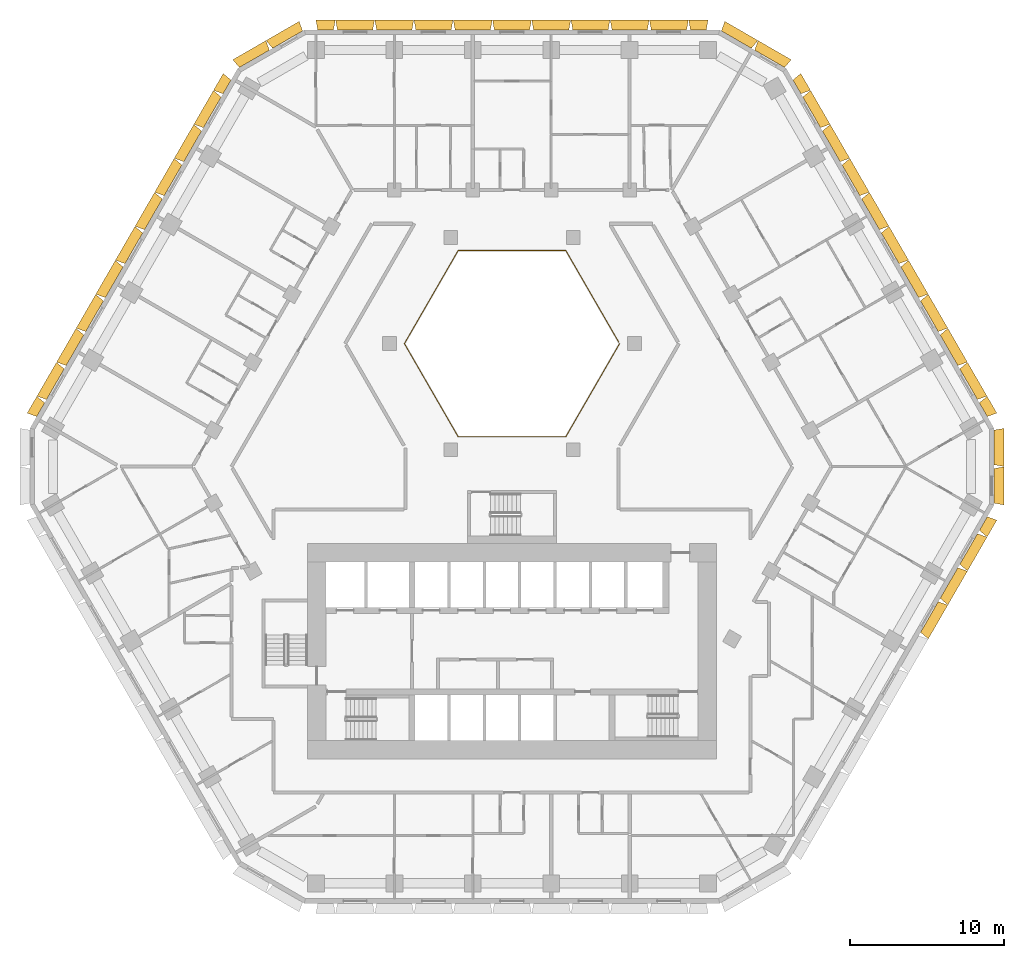
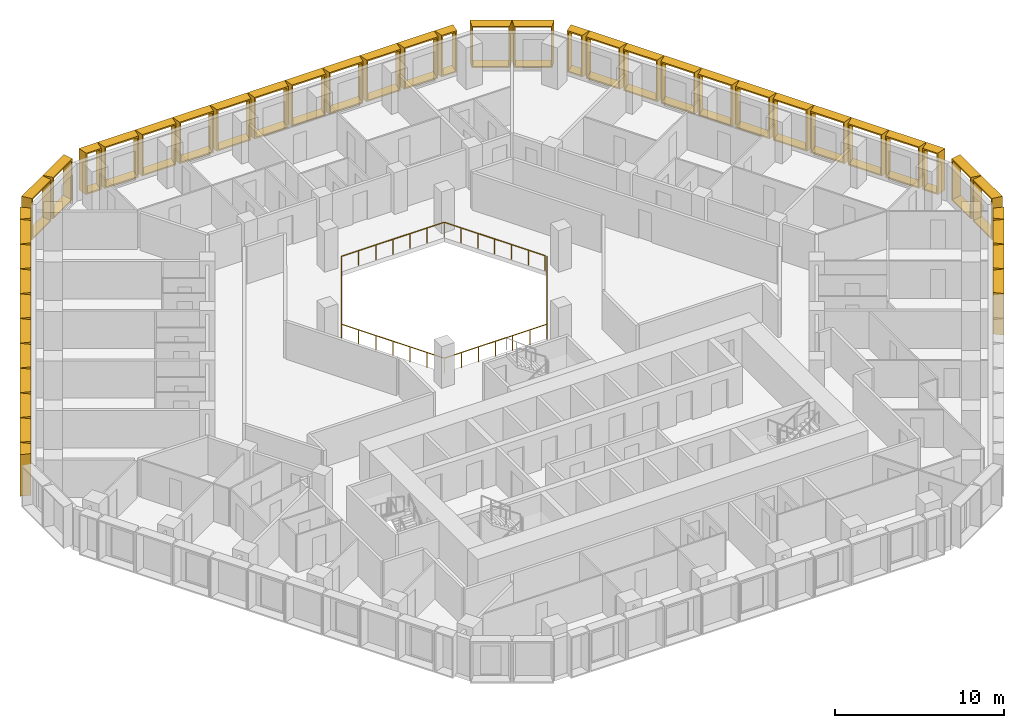
# One storey, part 16 of 16: 43 shading devices, 1 railing.
"""IFC4 building model written with IfcOpenShell, lengths in metres."""

from ifc_helpers import new_model, entity, si_unit, direction, frame, origin, origin_2d, place, context, subcontext, project, spatial, rectangle, extrude, source, transform, mapped, material, type_object, type_shapes, element, save


model = new_model("IFC4")

# Units and contexts
model_context = context("Model", 3, precision=1e-05, world=origin(), true_north=direction((0.0, 1.0)))
body_context = subcontext(model_context, "Body", "Model", "MODEL_VIEW")
ifc_project = project(units=[si_unit("LENGTHUNIT", "METRE"), si_unit("AREAUNIT", "SQUARE_METRE"), si_unit("VOLUMEUNIT", "CUBIC_METRE"), si_unit("PLANEANGLEUNIT", "RADIAN"), si_unit("MASSUNIT", "GRAM", prefix="KILO")], contexts=[model_context])

# Site, building, storey
site_placement = place(None, origin())
site = spatial("IfcSite", under=ifc_project, at=site_placement, CompositionType="ELEMENT")
building_placement = place(site_placement, origin())
building = spatial("IfcBuilding", under=site, at=building_placement, Name="Beryl Residences", CompositionType="ELEMENT")
storey_placement = place(building_placement, frame((0.0, 0.0, 38.39990234375)))
storey = spatial("IfcBuildingStorey", under=building, at=storey_placement, Name="L11", CompositionType="ELEMENT", Elevation=38.39990234375)

# Railing
ifc_material_1 = material(Name="Stainless steel balustrade with glass infill", Category="steel")
railing_type = type_object("IfcRailingType", Name="EG1 edge guard 1100 mm", PredefinedType="GUARDRAIL", material=ifc_material_1)
railing_placement = place(storey_placement, frame((6.9970703125, 8.0, 0.0)))
element("IfcRailing", 1, at=railing_placement, inside=storey, type_object=railing_type, Name="L11 atrium guard", PredefinedType="GUARDRAIL", context=body_context, shape_type="SweptSolid", body=[
    extrude(rectangle(XDim=0.048095703125, YDim=0.048095703125, at=origin_2d()), frame((0.0, 0.0, 1.076171875), z_axis=(-0.499921796684, -0.866070549782, 0.0), x_axis=(0.866070549782, -0.499921796684, 0.0)), (0.0, 0.0, 1.0), 6.9970703125),
    extrude(rectangle(XDim=0.048095703125, YDim=0.048095703125, at=origin_2d()), frame((-3.498046875, -6.06005859375, 1.076171875), z_axis=(-1.0, 0.0, 0.0), x_axis=(0.0, -1.0, 0.0)), (0.0, 0.0, 1.0), 6.998046875),
    extrude(rectangle(XDim=0.048095703125, YDim=0.048095703125, at=origin_2d()), frame((-10.49609375, -6.06005859375, 1.076171875), z_axis=(-0.499921796684, 0.866070549782, 0.0), x_axis=(-0.866070549782, -0.499921796684, 0.0)), (0.0, 0.0, 1.0), 6.9970703125),
    extrude(rectangle(XDim=0.048095703125, YDim=0.048095703125, at=origin_2d()), frame((-13.994140625, 0.0, 1.076171875), z_axis=(0.499921796684, 0.866070549782, 0.0), x_axis=(-0.866070549782, 0.499921796684, 0.0)), (0.0, 0.0, 1.0), 6.9970703125),
    extrude(rectangle(XDim=0.048095703125, YDim=0.048095703125, at=origin_2d()), frame((-10.49609375, 6.06005859375, 1.076171875), z_axis=(1.0, 0.0, 0.0), x_axis=(0.0, 1.0, 0.0)), (0.0, 0.0, 1.0), 6.998046875),
    extrude(rectangle(XDim=0.048095703125, YDim=0.048095703125, at=origin_2d()), frame((-3.498046875, 6.06005859375, 1.076171875), z_axis=(0.499919131929, -0.866072087953, 0.0), x_axis=(0.866072087953, 0.499919131929, 0.0)), (0.0, 0.0, 1.0), 6.877197265625),
    extrude(rectangle(XDim=0.0419921875, YDim=0.0419921875, at=origin_2d()), origin(), (0.0, 0.0, 1.0), 1.052001953125),
    extrude(rectangle(XDim=0.0419921875, YDim=0.0419921875, at=origin_2d()), frame((-0.5830078125, -1.010009765625, 0.0)), (0.0, 0.0, 1.0), 1.052001953125),
    extrude(rectangle(XDim=0.0419921875, YDim=0.0419921875, at=origin_2d()), frame((-1.166015625, -2.02001953125, 0.0)), (0.0, 0.0, 1.0), 1.052001953125),
    extrude(rectangle(XDim=0.0419921875, YDim=0.0419921875, at=origin_2d()), frame((-1.7490234375, -3.030029296875, 0.0)), (0.0, 0.0, 1.0), 1.052001953125),
    extrude(rectangle(XDim=0.0419921875, YDim=0.0419921875, at=origin_2d()), frame((-2.33203125, -4.0400390625, 0.0)), (0.0, 0.0, 1.0), 1.052001953125),
    extrude(rectangle(XDim=0.0419921875, YDim=0.0419921875, at=origin_2d()), frame((-2.9150390625, -5.050048828125, 0.0)), (0.0, 0.0, 1.0), 1.052001953125),
    extrude(rectangle(XDim=0.0419921875, YDim=0.0419921875, at=origin_2d()), frame((-3.498046875, -6.06005859375, 0.0)), (0.0, 0.0, 1.0), 1.052001953125),
    extrude(rectangle(XDim=0.0419921875, YDim=0.0419921875, at=origin_2d()), frame((-4.664306640625, -6.06005859375, 0.0)), (0.0, 0.0, 1.0), 1.052001953125),
    extrude(rectangle(XDim=0.0419921875, YDim=0.0419921875, at=origin_2d()), frame((-5.830810546875, -6.06005859375, 0.0)), (0.0, 0.0, 1.0), 1.052001953125),
    extrude(rectangle(XDim=0.0419921875, YDim=0.0419921875, at=origin_2d()), frame((-6.9970703125, -6.06005859375, 0.0)), (0.0, 0.0, 1.0), 1.052001953125),
    extrude(rectangle(XDim=0.0419921875, YDim=0.0419921875, at=origin_2d()), frame((-8.163330078125, -6.06005859375, 0.0)), (0.0, 0.0, 1.0), 1.052001953125),
    extrude(rectangle(XDim=0.0419921875, YDim=0.0419921875, at=origin_2d()), frame((-9.329833984375, -6.06005859375, 0.0)), (0.0, 0.0, 1.0), 1.052001953125),
    extrude(rectangle(XDim=0.0419921875, YDim=0.0419921875, at=origin_2d()), frame((-10.49609375, -6.06005859375, 0.0)), (0.0, 0.0, 1.0), 1.052001953125),
    extrude(rectangle(XDim=0.0419921875, YDim=0.0419921875, at=origin_2d()), frame((-11.0791015625, -5.050048828125, 0.0)), (0.0, 0.0, 1.0), 1.052001953125),
    extrude(rectangle(XDim=0.0419921875, YDim=0.0419921875, at=origin_2d()), frame((-11.662109375, -4.0400390625, 0.0)), (0.0, 0.0, 1.0), 1.052001953125),
    extrude(rectangle(XDim=0.0419921875, YDim=0.0419921875, at=origin_2d()), frame((-12.2451171875, -3.030029296875, 0.0)), (0.0, 0.0, 1.0), 1.052001953125),
    extrude(rectangle(XDim=0.0419921875, YDim=0.0419921875, at=origin_2d()), frame((-12.828125, -2.02001953125, 0.0)), (0.0, 0.0, 1.0), 1.052001953125),
    extrude(rectangle(XDim=0.0419921875, YDim=0.0419921875, at=origin_2d()), frame((-13.4111328125, -1.010009765625, 0.0)), (0.0, 0.0, 1.0), 1.052001953125),
    extrude(rectangle(XDim=0.0419921875, YDim=0.0419921875, at=origin_2d()), frame((-13.994140625, 0.0, 0.0)), (0.0, 0.0, 1.0), 1.052001953125),
    extrude(rectangle(XDim=0.0419921875, YDim=0.0419921875, at=origin_2d()), frame((-13.4111328125, 1.010009765625, 0.0)), (0.0, 0.0, 1.0), 1.052001953125),
    extrude(rectangle(XDim=0.0419921875, YDim=0.0419921875, at=origin_2d()), frame((-12.828125, 2.02001953125, 0.0)), (0.0, 0.0, 1.0), 1.052001953125),
    extrude(rectangle(XDim=0.0419921875, YDim=0.0419921875, at=origin_2d()), frame((-12.2451171875, 3.030029296875, 0.0)), (0.0, 0.0, 1.0), 1.052001953125),
    extrude(rectangle(XDim=0.0419921875, YDim=0.0419921875, at=origin_2d()), frame((-11.662109375, 4.0400390625, 0.0)), (0.0, 0.0, 1.0), 1.052001953125),
    extrude(rectangle(XDim=0.0419921875, YDim=0.0419921875, at=origin_2d()), frame((-11.0791015625, 5.050048828125, 0.0)), (0.0, 0.0, 1.0), 1.052001953125),
    extrude(rectangle(XDim=0.0419921875, YDim=0.0419921875, at=origin_2d()), frame((-10.49609375, 6.06005859375, 0.0)), (0.0, 0.0, 1.0), 1.052001953125),
    extrude(rectangle(XDim=0.0419921875, YDim=0.0419921875, at=origin_2d()), frame((-9.329833984375, 6.06005859375, 0.0)), (0.0, 0.0, 1.0), 1.052001953125),
    extrude(rectangle(XDim=0.0419921875, YDim=0.0419921875, at=origin_2d()), frame((-8.163330078125, 6.06005859375, 0.0)), (0.0, 0.0, 1.0), 1.052001953125),
    extrude(rectangle(XDim=0.0419921875, YDim=0.0419921875, at=origin_2d()), frame((-6.9970703125, 6.06005859375, 0.0)), (0.0, 0.0, 1.0), 1.052001953125),
    extrude(rectangle(XDim=0.0419921875, YDim=0.0419921875, at=origin_2d()), frame((-5.830810546875, 6.06005859375, 0.0)), (0.0, 0.0, 1.0), 1.052001953125),
    extrude(rectangle(XDim=0.0419921875, YDim=0.0419921875, at=origin_2d()), frame((-4.664306640625, 6.06005859375, 0.0)), (0.0, 0.0, 1.0), 1.052001953125),
    extrude(rectangle(XDim=0.0419921875, YDim=0.0419921875, at=origin_2d()), frame((-3.498046875, 6.06005859375, 0.0)), (0.0, 0.0, 1.0), 1.052001953125),
    extrude(rectangle(XDim=0.0419921875, YDim=0.0419921875, at=origin_2d()), frame((-2.925048828125, 5.0673828125, 0.0)), (0.0, 0.0, 1.0), 1.052001953125),
    extrude(rectangle(XDim=0.0419921875, YDim=0.0419921875, at=origin_2d()), frame((-2.35205078125, 4.07470703125, 0.0)), (0.0, 0.0, 1.0), 1.052001953125),
    extrude(rectangle(XDim=0.0419921875, YDim=0.0419921875, at=origin_2d()), frame((-1.779052734375, 3.08203125, 0.0)), (0.0, 0.0, 1.0), 1.052001953125),
    extrude(rectangle(XDim=0.0419921875, YDim=0.0419921875, at=origin_2d()), frame((-1.2060546875, 2.08935546875, 0.0)), (0.0, 0.0, 1.0), 1.052001953125),
    extrude(rectangle(XDim=0.0419921875, YDim=0.0419921875, at=origin_2d()), frame((-0.633056640625, 1.0966796875, 0.0)), (0.0, 0.0, 1.0), 1.052001953125),
    extrude(rectangle(XDim=0.0419921875, YDim=0.0419921875, at=origin_2d()), frame((-0.06005859375, 0.10400390625, 0.0)), (0.0, 0.0, 1.0), 1.052001953125),
])

# Shading devices
ifc_material_2 = material(Name="Aluminium pale anodised", Category="aluminium")
shading_device_type_1 = type_object("IfcShadingDeviceType", Name="FR128-65A OUTER SKIN frame 650 mm deep, splay 10/10 deg, 1280 x 3000 mm cell", PredefinedType="USERDEFINED", material=ifc_material_2)
cartesian_point_1 = entity("IfcCartesianPoint", [-0.514892578125, 0.0])
cartesian_point_2 = entity("IfcCartesianPoint", [-0.433837890625, 0.10009765625])
cartesian_point_3 = entity("IfcCartesianPoint", [-0.629638671875, 0.0])
cartesian_point_4 = entity("IfcCartesianPoint", [-0.54833984375, 0.10009765625])
shared_shape_1 = source(origin(), body_context, "Body", "SweptSolid", [
    entity("IfcExtrudedAreaSolidTapered", entity("IfcArbitraryProfileDefWithVoids", "AREA", None, entity("IfcPolyline", [cartesian_point_1, entity("IfcCartesianPoint", [0.514892578125, 0.0]), entity("IfcCartesianPoint", [0.514892578125, 3.0]), entity("IfcCartesianPoint", [-0.514892578125, 3.0]), cartesian_point_1]), [entity("IfcPolyline", [cartesian_point_2, entity("IfcCartesianPoint", [0.433837890625, 0.10009765625]), entity("IfcCartesianPoint", [0.433837890625, 2.89990234375]), entity("IfcCartesianPoint", [-0.433837890625, 2.89990234375]), cartesian_point_2])]), entity("IfcAxis2Placement3D", entity("IfcCartesianPoint", [0.0, 0.0, 0.0]), entity("IfcDirection", [0.0, 1.0, 0.0]), entity("IfcDirection", [-1.0, 0.0, 0.0])), entity("IfcDirection", [0.0, 0.0, 1.0]), 0.64990234375, entity("IfcArbitraryProfileDefWithVoids", "AREA", None, entity("IfcPolyline", [cartesian_point_3, entity("IfcCartesianPoint", [0.629638671875, 0.0]), entity("IfcCartesianPoint", [0.629638671875, 3.0]), entity("IfcCartesianPoint", [-0.629638671875, 3.0]), cartesian_point_3]), [entity("IfcPolyline", [cartesian_point_4, entity("IfcCartesianPoint", [0.54833984375, 0.10009765625]), entity("IfcCartesianPoint", [0.54833984375, 2.89990234375]), entity("IfcCartesianPoint", [-0.54833984375, 2.89990234375]), cartesian_point_4])])),
])
type_shapes(shading_device_type_1, [shared_shape_1])
for number, where, z_axis, x_axis, name in (
    (2, (12.12109375, 28.39990234375, 0.0), (0.0, 0.0, 1.0), (1.0, 0.0, 0.0), "FR128-65A frame L11 N 1"),
    (3, (-12.123046875, 28.39990234375, 0.0), (0.0, 0.0, 1.0), (1.0, 0.0, 0.0), "FR128-65A frame L11 N 11"),
    (4, (-18.534912109375, 24.697021484375, 0.0), (0.0, 0.0, 1.0), (0.5, 0.866025403784, 0.0), "FR128-65A frame L11 NW 1"),
    (5, (-30.656005859375, 3.700927734375, 0.0), (0.0, 0.0, 1.0), (0.5, 0.866025403784, 0.0), "FR128-65A frame L11 NW 11"),
    (6, (30.656005859375, -3.700927734375, 0.0), (0.0, 0.0, 1.0), (-0.5, -0.866025403784, 0.0), "FR128-65A frame L11 SE 11"),
    (7, (30.655029296875, 3.702880859375, 0.0), (0.0, 0.0, 1.0), (0.5, -0.866025403784, 0.0), "FR128-65A frame L11 NE 1"),
    (8, (18.533935546875, 24.698974609375, 0.0), (0.0, 0.0, 1.0), (0.5, -0.866025403784, 0.0), "FR128-65A frame L11 NE 11"),
):
    element("IfcShadingDevice", number, at=place(storey_placement, frame(where, z_axis=z_axis, x_axis=x_axis)), inside=storey, type_object=shading_device_type_1, Name=name, ObjectType="OUTER SKIN", PredefinedType="USERDEFINED", context=body_context, shape_type="MappedRepresentation", body=[
        mapped(shared_shape_1, transform((0.0, 0.0, 0.0))),
    ])
ifc_material_3 = material(Name="Aluminium pale anodised", Category="aluminium")
shading_device_type_2 = type_object("IfcShadingDeviceType", Name="FR250-65A OUTER SKIN frame 650 mm deep, splay 10/10 deg, 2500 x 3000 mm cell", PredefinedType="USERDEFINED", material=ifc_material_3)
cartesian_point_5 = entity("IfcCartesianPoint", [-1.125, 0.0])
cartesian_point_6 = entity("IfcCartesianPoint", [-1.043701171875, 0.10009765625])
cartesian_point_7 = entity("IfcCartesianPoint", [-1.239501953125, 0.0])
cartesian_point_8 = entity("IfcCartesianPoint", [-1.158447265625, 0.10009765625])
shared_shape_2 = source(origin(), body_context, "Body", "SweptSolid", [
    entity("IfcExtrudedAreaSolidTapered", entity("IfcArbitraryProfileDefWithVoids", "AREA", None, entity("IfcPolyline", [cartesian_point_5, entity("IfcCartesianPoint", [1.125, 0.0]), entity("IfcCartesianPoint", [1.125, 3.0]), entity("IfcCartesianPoint", [-1.125, 3.0]), cartesian_point_5]), [entity("IfcPolyline", [cartesian_point_6, entity("IfcCartesianPoint", [1.043701171875, 0.10009765625]), entity("IfcCartesianPoint", [1.043701171875, 2.89990234375]), entity("IfcCartesianPoint", [-1.043701171875, 2.89990234375]), cartesian_point_6])]), entity("IfcAxis2Placement3D", entity("IfcCartesianPoint", [0.0, 0.0, 0.0]), entity("IfcDirection", [0.0, 1.0, 0.0]), entity("IfcDirection", [-1.0, 0.0, 0.0])), entity("IfcDirection", [0.0, 0.0, 1.0]), 0.64990234375, entity("IfcArbitraryProfileDefWithVoids", "AREA", None, entity("IfcPolyline", [cartesian_point_7, entity("IfcCartesianPoint", [1.239501953125, 0.0]), entity("IfcCartesianPoint", [1.239501953125, 3.0]), entity("IfcCartesianPoint", [-1.239501953125, 3.0]), cartesian_point_7]), [entity("IfcPolyline", [cartesian_point_8, entity("IfcCartesianPoint", [1.158447265625, 0.10009765625]), entity("IfcCartesianPoint", [1.158447265625, 2.89990234375]), entity("IfcCartesianPoint", [-1.158447265625, 2.89990234375]), cartesian_point_8])])),
])
type_shapes(shading_device_type_2, [shared_shape_2])
for number, where, z_axis, x_axis, name in (
    (9, (-14.593017578125, 27.77490234375, 0.0), (0.0, 0.0, 1.0), (0.866025403784, 0.5, 0.0), "FR250-65A frame L11 N-NW 1"),
    (10, (-16.758056640625, 26.52490234375, 0.0), (0.0, 0.0, 1.0), (0.866025403784, 0.5, 0.0), "FR250-65A frame L11 N-NW 2"),
    (11, (31.35009765625, -1.25, 0.0), (0.0, 0.0, 1.0), (0.0, -1.0, 0.0), "FR250-65A frame L11 SE-NE 1"),
    (12, (31.35009765625, 1.25, 0.0), (0.0, 0.0, 1.0), (0.0, -1.0, 0.0), "FR250-65A frame L11 SE-NE 2"),
    (13, (16.758056640625, 26.52490234375, 0.0), (0.0, 0.0, 1.0), (0.866025403784, -0.5, 0.0), "FR250-65A frame L11 NE-N 1"),
    (14, (14.593017578125, 27.77490234375, 0.0), (0.0, 0.0, 1.0), (0.866025403784, -0.5, 0.0), "FR250-65A frame L11 NE-N 2"),
):
    element("IfcShadingDevice", number, at=place(storey_placement, frame(where, z_axis=z_axis, x_axis=x_axis)), inside=storey, type_object=shading_device_type_2, Name=name, ObjectType="OUTER SKIN", PredefinedType="USERDEFINED", context=body_context, shape_type="MappedRepresentation", body=[
        mapped(shared_shape_2, transform((0.0, 0.0, 0.0))),
    ])
ifc_material_4 = material(Name="Aluminium pale anodised", Category="aluminium")
shading_device_type_3 = type_object("IfcShadingDeviceType", Name="FR255-65A OUTER SKIN frame 650 mm deep, splay 10/10 deg, 2550 x 3000 mm cell", PredefinedType="USERDEFINED", material=ifc_material_4)
cartesian_point_9 = entity("IfcCartesianPoint", [-1.14990234375, 0.0])
cartesian_point_10 = entity("IfcCartesianPoint", [-1.06884765625, 0.10009765625])
cartesian_point_11 = entity("IfcCartesianPoint", [-1.2646484375, 0.0])
cartesian_point_12 = entity("IfcCartesianPoint", [-1.183349609375, 0.10009765625])
shared_shape_3 = source(origin(), body_context, "Body", "SweptSolid", [
    entity("IfcExtrudedAreaSolidTapered", entity("IfcArbitraryProfileDefWithVoids", "AREA", None, entity("IfcPolyline", [cartesian_point_9, entity("IfcCartesianPoint", [1.14990234375, 0.0]), entity("IfcCartesianPoint", [1.14990234375, 3.0]), entity("IfcCartesianPoint", [-1.14990234375, 3.0]), cartesian_point_9]), [entity("IfcPolyline", [cartesian_point_10, entity("IfcCartesianPoint", [1.06884765625, 0.10009765625]), entity("IfcCartesianPoint", [1.06884765625, 2.89990234375]), entity("IfcCartesianPoint", [-1.06884765625, 2.89990234375]), cartesian_point_10])]), entity("IfcAxis2Placement3D", entity("IfcCartesianPoint", [0.0, 0.0, 0.0]), entity("IfcDirection", [0.0, 1.0, 0.0]), entity("IfcDirection", [-1.0, 0.0, 0.0])), entity("IfcDirection", [0.0, 0.0, 1.0]), 0.64990234375, entity("IfcArbitraryProfileDefWithVoids", "AREA", None, entity("IfcPolyline", [cartesian_point_11, entity("IfcCartesianPoint", [1.2646484375, 0.0]), entity("IfcCartesianPoint", [1.2646484375, 3.0]), entity("IfcCartesianPoint", [-1.2646484375, 3.0]), cartesian_point_11]), [entity("IfcPolyline", [cartesian_point_12, entity("IfcCartesianPoint", [1.183349609375, 0.10009765625]), entity("IfcCartesianPoint", [1.183349609375, 2.89990234375]), entity("IfcCartesianPoint", [-1.183349609375, 2.89990234375]), cartesian_point_12])])),
])
type_shapes(shading_device_type_3, [shared_shape_3])
for number, where, z_axis, x_axis, name in (
    (15, (10.20703125, 28.39990234375, 0.0), (0.0, 0.0, 1.0), (1.0, 0.0, 0.0), "FR255-65A frame L11 N 2"),
    (16, (7.655029296875, 28.39990234375, 0.0), (0.0, 0.0, 1.0), (1.0, 0.0, 0.0), "FR255-65A frame L11 N 3"),
    (17, (5.10302734375, 28.39990234375, 0.0), (0.0, 0.0, 1.0), (1.0, 0.0, 0.0), "FR255-65A frame L11 N 4"),
    (18, (2.551025390625, 28.39990234375, 0.0), (0.0, 0.0, 1.0), (1.0, 0.0, 0.0), "FR255-65A frame L11 N 5"),
    (19, (-0.0009765625, 28.39990234375, 0.0), (0.0, 0.0, 1.0), (1.0, 0.0, 0.0), "FR255-65A frame L11 N 6"),
    (20, (-2.552978515625, 28.39990234375, 0.0), (0.0, 0.0, 1.0), (1.0, 0.0, 0.0), "FR255-65A frame L11 N 7"),
    (21, (-5.10498046875, 28.39990234375, 0.0), (0.0, 0.0, 1.0), (1.0, 0.0, 0.0), "FR255-65A frame L11 N 8"),
    (22, (-7.656982421875, 28.39990234375, 0.0), (0.0, 0.0, 1.0), (1.0, 0.0, 0.0), "FR255-65A frame L11 N 9"),
    (23, (-10.208984375, 28.39990234375, 0.0), (0.0, 0.0, 1.0), (1.0, 0.0, 0.0), "FR255-65A frame L11 N 10"),
    (24, (-19.491943359375, 23.0400390625, 0.0), (0.0, 0.0, 1.0), (0.5, 0.866025403784, 0.0), "FR255-65A frame L11 NW 2"),
    (25, (-20.76806640625, 20.830078125, 0.0), (0.0, 0.0, 1.0), (0.5, 0.866025403784, 0.0), "FR255-65A frame L11 NW 3"),
    (26, (-22.0439453125, 18.618896484375, 0.0), (0.0, 0.0, 1.0), (0.5, 0.866025403784, 0.0), "FR255-65A frame L11 NW 4"),
    (27, (-23.320068359375, 16.408935546875, 0.0), (0.0, 0.0, 1.0), (0.5, 0.866025403784, 0.0), "FR255-65A frame L11 NW 5"),
    (28, (-24.594970703125, 14.198974609375, 0.0), (0.0, 0.0, 1.0), (0.5, 0.866025403784, 0.0), "FR255-65A frame L11 NW 6"),
    (29, (-25.87109375, 11.989013671875, 0.0), (0.0, 0.0, 1.0), (0.5, 0.866025403784, 0.0), "FR255-65A frame L11 NW 7"),
    (30, (-27.14697265625, 9.779052734375, 0.0), (0.0, 0.0, 1.0), (0.5, 0.866025403784, 0.0), "FR255-65A frame L11 NW 8"),
    (31, (-28.423095703125, 7.569091796875, 0.0), (0.0, 0.0, 1.0), (0.5, 0.866025403784, 0.0), "FR255-65A frame L11 NW 9"),
    (32, (-29.698974609375, 5.35888671875, 0.0), (0.0, 0.0, 1.0), (0.5, 0.866025403784, 0.0), "FR255-65A frame L11 NW 10"),
    (33, (27.14697265625, -9.779052734375, 0.0), (0.0, 0.0, 1.0), (-0.5, -0.866025403784, 0.0), "FR255-65A frame L11 SE 8"),
    (34, (28.423095703125, -7.569091796875, 0.0), (0.0, 0.0, 1.0), (-0.5, -0.866025403784, 0.0), "FR255-65A frame L11 SE 9"),
    (35, (29.698974609375, -5.35888671875, 0.0), (0.0, 0.0, 1.0), (-0.5, -0.866025403784, 0.0), "FR255-65A frame L11 SE 10"),
    (36, (29.697998046875, 5.360107421875, 0.0), (0.0, 0.0, 1.0), (0.5, -0.866025403784, 0.0), "FR255-65A frame L11 NE 2"),
    (37, (28.422119140625, 7.570068359375, 0.0), (0.0, 0.0, 1.0), (0.5, -0.866025403784, 0.0), "FR255-65A frame L11 NE 3"),
    (38, (27.14599609375, 9.781005859375, 0.0), (0.0, 0.0, 1.0), (0.5, -0.866025403784, 0.0), "FR255-65A frame L11 NE 4"),
    (39, (25.8701171875, 11.990966796875, 0.0), (0.0, 0.0, 1.0), (0.5, -0.866025403784, 0.0), "FR255-65A frame L11 NE 5"),
    (40, (24.594970703125, 14.200927734375, 0.0), (0.0, 0.0, 1.0), (0.5, -0.866025403784, 0.0), "FR255-65A frame L11 NE 6"),
    (41, (23.319091796875, 16.410888671875, 0.0), (0.0, 0.0, 1.0), (0.5, -0.866025403784, 0.0), "FR255-65A frame L11 NE 7"),
    (42, (22.04296875, 18.62109375, 0.0), (0.0, 0.0, 1.0), (0.5, -0.866025403784, 0.0), "FR255-65A frame L11 NE 8"),
    (43, (20.76708984375, 20.8310546875, 0.0), (0.0, 0.0, 1.0), (0.5, -0.866025403784, 0.0), "FR255-65A frame L11 NE 9"),
    (44, (19.490966796875, 23.041015625, 0.0), (0.0, 0.0, 1.0), (0.5, -0.866025403784, 0.0), "FR255-65A frame L11 NE 10"),
):
    element("IfcShadingDevice", number, at=place(storey_placement, frame(where, z_axis=z_axis, x_axis=x_axis)), inside=storey, type_object=shading_device_type_3, Name=name, ObjectType="OUTER SKIN", PredefinedType="USERDEFINED", context=body_context, shape_type="MappedRepresentation", body=[
        mapped(shared_shape_3, transform((0.0, 0.0, 0.0))),
    ])

save(model, "model.ifc")
